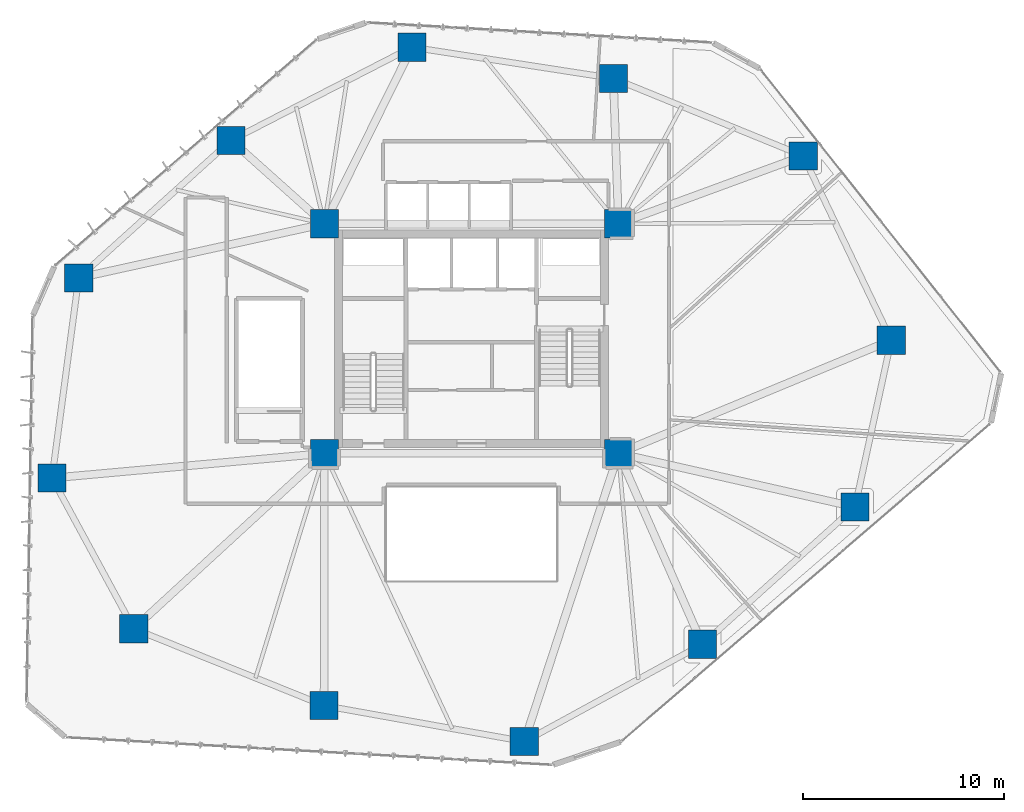
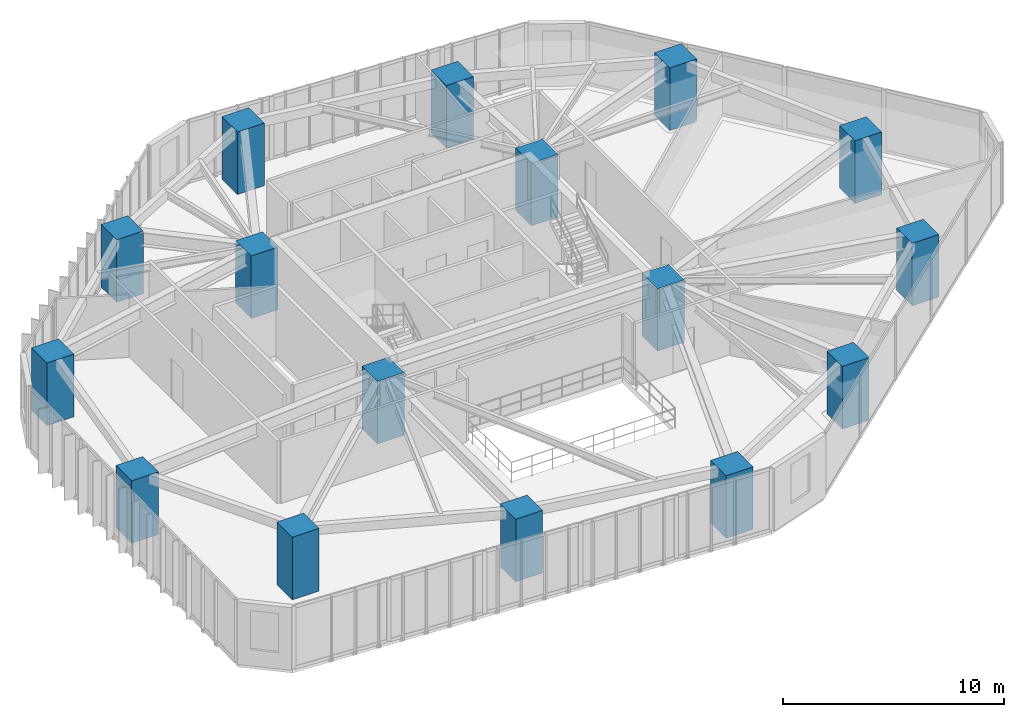
# One storey, part 1 of 24: 16 columns.
"""IFC4 building model written with IfcOpenShell, lengths in metres."""

from ifc_helpers import new_model, si_unit, direction, frame, origin, origin_2d, place, context, subcontext, project, spatial, rectangle, extrude, material, material_profile, profile_set, type_object, element, save


model = new_model("IFC4")

# Units and contexts
model_context = context("Model", 3, precision=1e-05, world=origin(), true_north=direction((0.0, 1.0)))
body_context = subcontext(model_context, "Body", "Model", "MODEL_VIEW")
ifc_project = project(units=[si_unit("LENGTHUNIT", "METRE"), si_unit("AREAUNIT", "SQUARE_METRE"), si_unit("VOLUMEUNIT", "CUBIC_METRE"), si_unit("PLANEANGLEUNIT", "RADIAN"), si_unit("MASSUNIT", "GRAM", prefix="KILO")], contexts=[model_context])

# Site, building, storey
site_placement = place(None, origin())
site = spatial("IfcSite", under=ifc_project, at=site_placement, CompositionType="ELEMENT")
building_placement = place(site_placement, origin())
building = spatial("IfcBuilding", under=site, at=building_placement, Name="Talar Marvaseh", CompositionType="ELEMENT")
storey_placement = place(building_placement, frame((0.0, 0.0, 81.0)))
storey = spatial("IfcBuildingStorey", under=building, at=storey_placement, Name="L20", CompositionType="ELEMENT", Elevation=81.0)

# Columns
ifc_material = material(Name="Concrete C70/85", Category="concrete")
ifc_material_profile = material_profile(ifc_material, rectangle(XDim=1.39990234375, YDim=1.39990234375, at=origin_2d()), Name="RC1400x1400")
ifc_profile_set = profile_set([ifc_material_profile], Name="Concrete C70/85")
column_type = type_object("IfcColumnType", Name="Zone 1 Tube Column RC1400x1400", PredefinedType="COLUMN", material=ifc_profile_set)
for number, where, z_axis, x_axis, name in (
    (1, (42.47705078125, 40.26904296875, 0.0), (0.0, 0.0, 1.0), (1.0, 0.0, 0.0), "L20 Zone 1 Tube Column RC1400x1400"),
    (2, (46.841064453125, 31.118896484375, 0.0), (0.0, 0.0, 1.0), (1.0, 0.0, 0.0), "L20 Zone 1 Tube Column RC1400x1400"),
    (3, (45.0439453125, 22.840087890625, 0.0), (0.0, 0.0, 1.0), (1.0, 0.0, 0.0), "L20 Zone 1 Tube Column RC1400x1400"),
    (4, (37.468017578125, 16.02099609375, 0.0), (0.0, 0.0, 1.0), (1.0, 0.0, 0.0), "L20 Zone 1 Tube Column RC1400x1400"),
    (5, (28.625, 11.195068359375, 0.0), (0.0, 0.0, 1.0), (1.0, 0.0, 0.0), "L20 Zone 1 Tube Column RC1400x1400"),
    (6, (18.68310546875, 12.97900390625, 0.0), (0.0, 0.0, 1.0), (1.0, 0.0, 0.0), "L20 Zone 1 Tube Column RC1400x1400"),
    (7, (9.23193359375, 16.7958984375, 0.0), (0.0, 0.0, 1.0), (1.0, 0.0, 0.0), "L20 Zone 1 Tube Column RC1400x1400"),
    (8, (5.175048828125, 24.27587890625, 0.0), (0.0, 0.0, 1.0), (1.0, 0.0, 0.0), "L20 Zone 1 Tube Column RC1400x1400"),
    (9, (6.501953125, 34.214111328125, 0.0), (0.0, 0.0, 1.0), (1.0, 0.0, 0.0), "L20 Zone 1 Tube Column RC1400x1400"),
    (10, (14.069091796875, 41.04296875, 0.0), (0.0, 0.0, 1.0), (1.0, 0.0, 0.0), "L20 Zone 1 Tube Column RC1400x1400"),
    (11, (23.047119140625, 45.6669921875, 0.0), (0.0, 0.0, 1.0), (1.0, 0.0, 0.0), "L20 Zone 1 Tube Column RC1400x1400"),
    (12, (33.0458984375, 44.117919921875, 0.0), (0.0, 0.0, 1.0), (1.0, 0.0, 0.0), "L20 Zone 1 Tube Column RC1400x1400"),
    (13, (18.699951171875, 25.5, 0.0), (0.0, 0.0, 1.0), (1.0, 0.0, 0.0), "L20 Zone 1 Tube Column RC1400x1400"),
    (14, (33.300048828125, 25.5, 0.0), (0.0, 0.0, 1.0), (1.0, 0.0, 0.0), "L20 Zone 1 Tube Column RC1400x1400"),
    (15, (33.300048828125, 36.89990234375, 0.0), (0.0, 0.0, 1.0), (1.0, 0.0, 0.0), "L20 Zone 1 Tube Column RC1400x1400"),
    (16, (18.699951171875, 36.89990234375, 0.0), (0.0, 0.0, 1.0), (1.0, 0.0, 0.0), "L20 Zone 1 Tube Column RC1400x1400"),
):
    element("IfcColumn", number, at=place(storey_placement, frame(where, z_axis=z_axis, x_axis=x_axis)), inside=storey, type_object=column_type, Name=name, PredefinedType="COLUMN", context=body_context, shape_type="SweptSolid", body=[
        extrude(rectangle(XDim=1.39990234375, YDim=1.39990234375, at=origin_2d()), origin(), (0.0, 0.0, 1.0), 3.449951171875),
    ])

save(model, "model.ifc")
